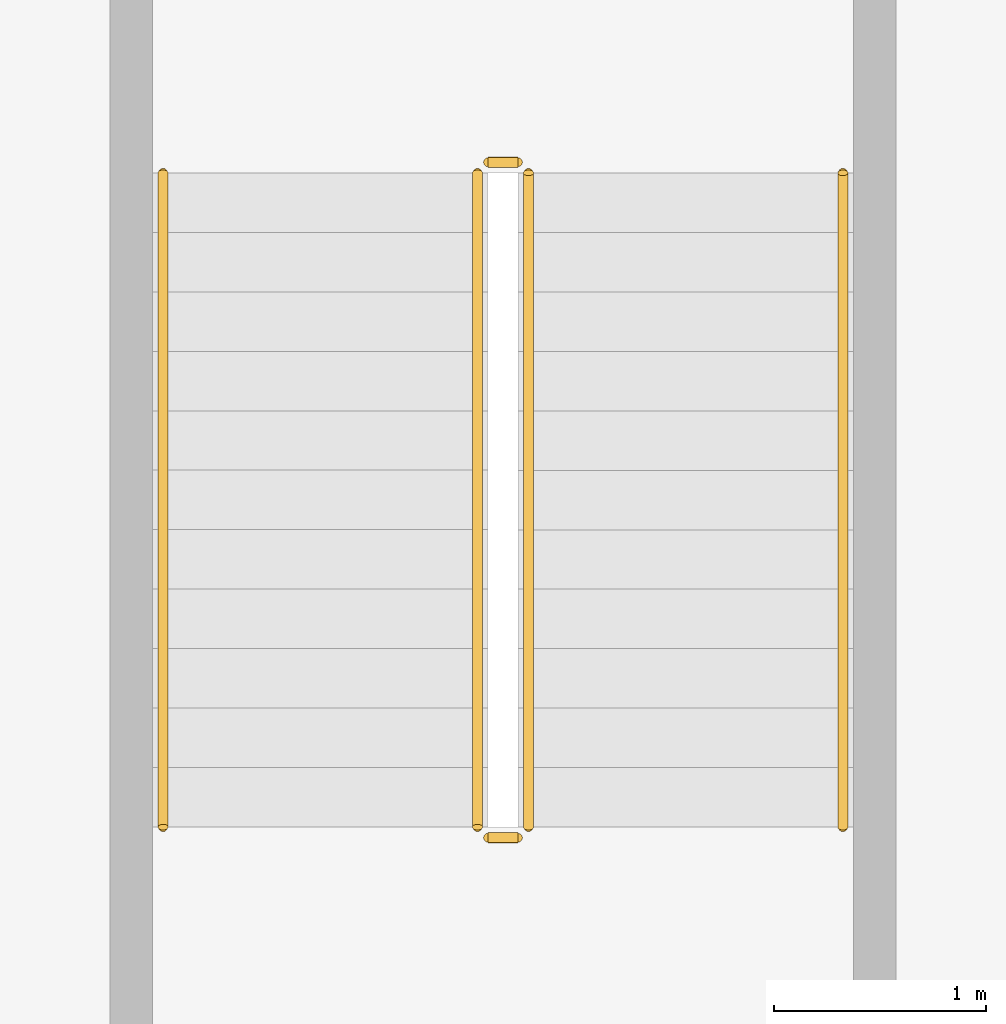
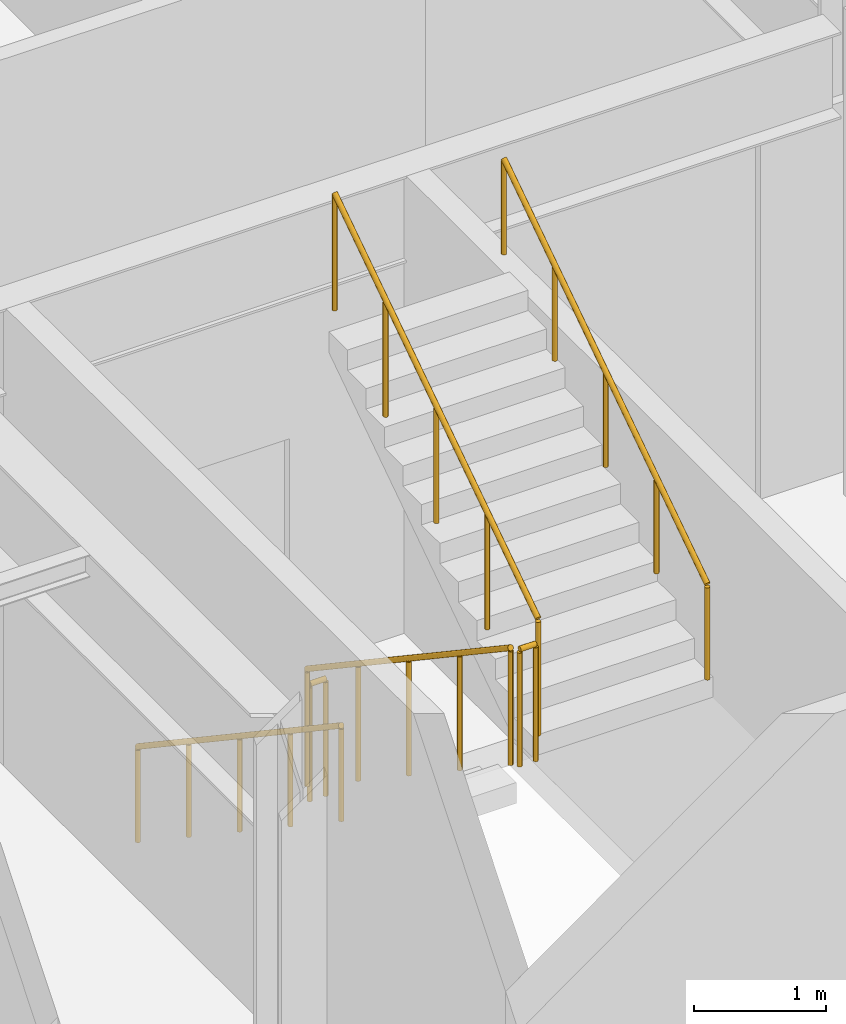
# One storey, part 22 of 26: 6 railings.
"""IFC4 building model written with IfcOpenShell, lengths in metres."""

import ifcopenshell
import ifcopenshell.guid

model = None  # the IFC model being written
_history = None  # IfcOwnerHistory: only IFC2X3 demands one
_inside = {}  # id of a spatial element -> (the spatial element, [elements in it])
_under = {}  # id of a project, library or spatial element -> (it, [spatial elements below it])
_declared = {}  # id of a project -> (the project, [libraries it declares])
_typed = {}  # id of a type object -> (the type object, [elements of that type])
_made_of = {}  # id of a material, layer set ... -> (it, [elements and type objects made of it])


def new_model(schema):
    """Start an empty IFC model of exactly this schema.

    Asked for "IFC4X3", IfcOpenShell would pick the latest addendum, in which some entities
    have other attributes; the version numbers below select the first issue.
    IFC2X3 requires an IfcOwnerHistory on every rooted entity: one is made here for all.
    """
    global model, _history
    if schema == "IFC4X3":
        model = ifcopenshell.file(schema_version=(4, 3, 0, 0))
    else:
        model = ifcopenshell.file(schema=schema)
    _inside.clear()
    _under.clear()
    _declared.clear()
    _typed.clear()
    _made_of.clear()
    _history = None
    if model.schema == "IFC2X3":
        org = make("IfcOrganization", Name="unknown")
        user = make(
            "IfcPersonAndOrganization",
            ThePerson=make("IfcPerson", FamilyName="unknown"),
            TheOrganization=org,
        )
        app = make(
            "IfcApplication",
            ApplicationDeveloper=org,
            Version="unknown",
            ApplicationFullName="unknown",
            ApplicationIdentifier="unknown",
        )
        _history = make(
            "IfcOwnerHistory",
            OwningUser=user,
            OwningApplication=app,
            ChangeAction="ADDED",
            CreationDate=0,
        )
    return model


def make(cls, **values):
    """One entity of the class cls with the attributes given. An attribute that is None is left unset."""
    return model.create_entity(
        cls, **{name: value for name, value in values.items() if value is not None}
    )


def rooted(cls, **values):
    """An entity with a GlobalId (a new one), such as an element, a storey or a relation."""
    return make(cls, GlobalId=ifcopenshell.guid.new(), OwnerHistory=_history, **values)


def si_unit(unit_type, name, prefix=None):
    """IfcSIUnit, for example si_unit("LENGTHUNIT", "METRE", prefix="MILLI")."""
    return make("IfcSIUnit", UnitType=unit_type, Prefix=prefix, Name=name)


def assignment(units):
    """IfcUnitAssignment: the units of a project."""
    return None if units is None else make("IfcUnitAssignment", Units=units)


def point(xyz):
    """IfcCartesianPoint."""
    return None if xyz is None else make("IfcCartesianPoint", Coordinates=xyz)


def direction(xyz):
    """IfcDirection."""
    return None if xyz is None else make("IfcDirection", DirectionRatios=xyz)


def frame(location, z_axis=None, x_axis=None):
    """IfcAxis2Placement3D, a coordinate frame: its origin and axes. An axis left out is left unset."""
    return make(
        "IfcAxis2Placement3D",
        Location=point(location),
        Axis=direction(z_axis),
        RefDirection=direction(x_axis),
    )


def frame_2d(location, x_axis=None):
    """IfcAxis2Placement2D, a coordinate frame in the plane: its origin and x axis."""
    return make(
        "IfcAxis2Placement2D", Location=point(location), RefDirection=direction(x_axis)
    )


def origin():
    """The frame at (0, 0, 0) with its axes left unset."""
    return frame((0.0, 0.0, 0.0))


def origin_2d():
    """The frame at (0, 0) in the plane with its x axis left unset."""
    return frame_2d((0.0, 0.0))


def place(relative_to, where):
    """IfcLocalPlacement: puts the frame where relative to a parent placement (None: the world)."""
    return make(
        "IfcLocalPlacement", PlacementRelTo=relative_to, RelativePlacement=where
    )


def context(
    kind, dimensions, precision=None, world=None, true_north=None, identifier=None
):
    """IfcGeometricRepresentationContext, for example the 3D "Model" context."""
    return make(
        "IfcGeometricRepresentationContext",
        ContextIdentifier=identifier,
        ContextType=kind,
        CoordinateSpaceDimension=dimensions,
        Precision=precision,
        WorldCoordinateSystem=world,
        TrueNorth=true_north,
    )


def subcontext(parent, identifier, kind, view, scale=None):
    """IfcGeometricRepresentationSubContext, for example "Body" below "Model"."""
    return make(
        "IfcGeometricRepresentationSubContext",
        ContextIdentifier=identifier,
        ContextType=kind,
        ParentContext=parent,
        TargetScale=scale,
        TargetView=view,
    )


def project(units=None, contexts=None):
    """IfcProject with its units and contexts."""
    return rooted(
        "IfcProject",
        Name="project",
        RepresentationContexts=contexts,
        UnitsInContext=assignment(units),
    )


def spatial(cls, under=None, at=None, **own):
    """A site, building, storey or space (cls), placed at a placement, below another one or the project."""
    s = rooted(cls, ObjectPlacement=at, **own)
    if under is not None:
        _under.setdefault(under.id(), (under, []))[1].append(s)
    return s


def profile(cls, at=None, kind="AREA", **sizes):
    """A parametric profile (cls). Its sizes go by their IFC names, for example OverallWidth=200.0."""
    return make(cls, ProfileType=kind, Position=at, **sizes)


def circle(**sizes):
    """IfcCircleProfileDef."""
    return profile("IfcCircleProfileDef", **sizes)


def extrude(swept, where, along, depth):
    """IfcExtrudedAreaSolid: the profile swept, set in the frame where, extruded along a direction by depth."""
    return make(
        "IfcExtrudedAreaSolid",
        SweptArea=swept,
        Position=where,
        ExtrudedDirection=direction(along),
        Depth=depth,
    )


def shape(context_of_items, identifier, shape_type, items):
    """IfcShapeRepresentation: the items that make up one representation, for example the "Body"."""
    return make(
        "IfcShapeRepresentation",
        ContextOfItems=context_of_items,
        RepresentationIdentifier=identifier,
        RepresentationType=shape_type,
        Items=items,
    )


def material(Name=None, Category=None):
    """IfcMaterial."""
    return make("IfcMaterial", Name=Name, Category=Category)


def made_of(thing, what):
    """Note that an element or type object is made of a material, layer set ...; save() writes the relation."""
    if what is not None:
        _made_of.setdefault(what.id(), (what, []))[1].append(thing)
    return thing


def type_object(cls, material=None, **own):
    """A type object (cls), such as IfcWallType, which elements share."""
    return made_of(rooted(cls, **own), material)


def element(
    cls,
    number,
    at=None,
    inside=None,
    cuts=None,
    type_object=None,
    material=None,
    context=None,
    identifier="Body",
    shape_type=None,
    held_by="IfcProductDefinitionShape",
    body=None,
    shapes=None,
    **own,
):
    """One element of the class cls, such as IfcWall. Its Tag is "e" and its number.

    at: its placement. inside: the storey or other place that contains it. cuts: it is an
    opening in that element (IfcRelVoidsElement). A single representation is given by context,
    identifier, shape_type and body (its items); several are given by shapes. held_by: the class
    of the entity that holds the representations. save() writes the other relations.
    """
    e = rooted(cls, Tag="e%d" % number, ObjectPlacement=at, **own)
    if body is not None:
        shapes = [shape(context, identifier, shape_type, body)]
    if shapes is not None:
        e.Representation = make(held_by, Representations=shapes)
    if inside is not None:
        _inside.setdefault(inside.id(), (inside, []))[1].append(e)
    if cuts is not None:
        rooted(
            "IfcRelVoidsElement", RelatingBuildingElement=cuts, RelatedOpeningElement=e
        )
    if type_object is not None:
        _typed.setdefault(type_object.id(), (type_object, []))[1].append(e)
    return made_of(e, material)


def aggregate(whole, parts):
    """IfcRelAggregates: a whole, such as a stair, and the parts it consists of."""
    return rooted("IfcRelAggregates", RelatingObject=whole, RelatedObjects=parts)


def save(model, path):
    """Write the relations noted so far, then the file.

    IfcRelAggregates (storeys below a building ...), IfcRelContainedInSpatialStructure (elements
    in a storey), IfcRelDefinesByType, IfcRelAssociatesMaterial and IfcRelDeclares: one each for
    every whole, place, type object, material and project.
    """
    for whole, parts in _under.values():
        aggregate(whole, parts)
    for where, things in _inside.values():
        rooted(
            "IfcRelContainedInSpatialStructure",
            RelatedElements=things,
            RelatingStructure=where,
        )
    for kind, things in _typed.values():
        rooted("IfcRelDefinesByType", RelatedObjects=things, RelatingType=kind)
    for what, things in _made_of.values():
        rooted("IfcRelAssociatesMaterial", RelatedObjects=things, RelatingMaterial=what)
    for by, libraries in _declared.values():
        rooted("IfcRelDeclares", RelatingContext=by, RelatedDefinitions=libraries)
    model.write(path)


model = new_model("IFC4")

# Units and contexts
model_context = context("Model", 3, precision=1e-05, world=origin(), true_north=direction((0.0, 1.0)))
body_context = subcontext(model_context, "Body", "Model", "MODEL_VIEW")
ifc_project = project(units=[si_unit("LENGTHUNIT", "METRE"), si_unit("AREAUNIT", "SQUARE_METRE"), si_unit("VOLUMEUNIT", "CUBIC_METRE"), si_unit("PLANEANGLEUNIT", "RADIAN"), si_unit("MASSUNIT", "GRAM", prefix="KILO")], contexts=[model_context])

# Site, building, storey
site_placement = place(None, origin())
site = spatial("IfcSite", under=ifc_project, at=site_placement, CompositionType="ELEMENT")
building_placement = place(site_placement, origin())
building = spatial("IfcBuilding", under=site, at=building_placement, Name="Varnakote Quay Hospital", CompositionType="ELEMENT")
storey_placement = place(building_placement, frame((0.0, 0.0, 13.5)))
storey = spatial("IfcBuildingStorey", under=building, at=storey_placement, Name="L03", CompositionType="ELEMENT", Elevation=13.5)

# Railings
ifc_material_1 = material(Name="Brushed stainless steel balustrade", Category="steel")
railing_type_1 = type_object("IfcRailingType", Name="RLG-STAIR-GUARD-1150", PredefinedType="GUARDRAIL", material=ifc_material_1)
railing_1_placement = place(storey_placement, frame((44.6298828125, 10.300048828125, 0.1875)))
element("IfcRailing", 1, at=railing_1_placement, inside=storey, type_object=railing_type_1, Name="L03 ST-03 stair guard 1", PredefinedType="GUARDRAIL", context=body_context, shape_type="SweptSolid", body=[
    extrude(circle(Radius=0.02392578125, at=origin_2d()), frame((0.0, 0.0, 1.076171875), z_axis=(0.0, -0.830913701846, 0.55640131208), x_axis=(1.0, 0.0, 0.0)), (0.0, 0.0, 1.0), 3.706787109375),
    extrude(circle(Radius=0.02099609375, at=origin_2d()), origin(), (0.0, 0.0, 1.0), 1.052001953125),
    extrude(circle(Radius=0.02099609375, at=origin_2d()), frame((0.0, -0.77001953125, 0.515625)), (0.0, 0.0, 1.0), 1.052001953125),
    extrude(circle(Radius=0.02099609375, at=origin_2d()), frame((0.0, -1.5400390625, 1.03125)), (0.0, 0.0, 1.0), 1.052001953125),
    extrude(circle(Radius=0.02099609375, at=origin_2d()), frame((0.0, -2.31005859375, 1.546875)), (0.0, 0.0, 1.0), 1.052001953125),
    extrude(circle(Radius=0.02099609375, at=origin_2d()), frame((0.0, -3.080078125, 2.0625)), (0.0, 0.0, 1.0), 1.052001953125),
])
railing_2_placement = place(storey_placement, frame((44.679931640625, 7.169921875, 2.25)))
element("IfcRailing", 2, at=railing_2_placement, inside=storey, type_object=railing_type_1, Name="L03 ST-03 stair guard 2", PredefinedType="GUARDRAIL", context=body_context, shape_type="SweptSolid", body=[
    extrude(circle(Radius=0.02392578125, at=origin_2d()), frame((0.0, 0.0, 1.076171875), z_axis=(1.0, 0.0, 0.0), x_axis=(0.0, 1.0, 0.0)), (0.0, 0.0, 1.0), 0.14013671875),
    extrude(circle(Radius=0.02099609375, at=origin_2d()), origin(), (0.0, 0.0, 1.0), 1.052001953125),
    extrude(circle(Radius=0.02099609375, at=origin_2d()), frame((0.14013671875, 0.0, 0.0)), (0.0, 0.0, 1.0), 1.052001953125),
])
railing_3_placement = place(storey_placement, frame((44.8701171875, 7.219970703125, 2.4375)))
element("IfcRailing", 3, at=railing_3_placement, inside=storey, type_object=railing_type_1, Name="L03 ST-03 stair guard 3", PredefinedType="GUARDRAIL", context=body_context, shape_type="SweptSolid", body=[
    extrude(circle(Radius=0.02392578125, at=origin_2d()), frame((0.0, 0.0, 1.076171875), z_axis=(0.0, 0.830913701846, 0.55640131208), x_axis=(-1.0, 0.0, 0.0)), (0.0, 0.0, 1.0), 3.706787109375),
    extrude(circle(Radius=0.02099609375, at=origin_2d()), origin(), (0.0, 0.0, 1.0), 1.052001953125),
    extrude(circle(Radius=0.02099609375, at=origin_2d()), frame((0.0, 0.77001953125, 0.515625)), (0.0, 0.0, 1.0), 1.052001953125),
    extrude(circle(Radius=0.02099609375, at=origin_2d()), frame((0.0, 1.5400390625, 1.03125)), (0.0, 0.0, 1.0), 1.052001953125),
    extrude(circle(Radius=0.02099609375, at=origin_2d()), frame((0.0, 2.31005859375, 1.546875)), (0.0, 0.0, 1.0), 1.052001953125),
    extrude(circle(Radius=0.02099609375, at=origin_2d()), frame((0.0, 3.080078125, 2.0625)), (0.0, 0.0, 1.0), 1.052001953125),
])
railing_4_placement = place(storey_placement, frame((44.679931640625, 10.35009765625, 0.0)))
element("IfcRailing", 4, at=railing_4_placement, inside=storey, type_object=railing_type_1, Name="L03 ST-03 stair guard 4", PredefinedType="GUARDRAIL", context=body_context, shape_type="SweptSolid", body=[
    extrude(circle(Radius=0.02392578125, at=origin_2d()), frame((0.0, 0.0, 1.076171875), z_axis=(1.0, 0.0, 0.0), x_axis=(0.0, 1.0, 0.0)), (0.0, 0.0, 1.0), 0.14013671875),
    extrude(circle(Radius=0.02099609375, at=origin_2d()), origin(), (0.0, 0.0, 1.0), 1.052001953125),
    extrude(circle(Radius=0.02099609375, at=origin_2d()), frame((0.14013671875, 0.0, 0.0)), (0.0, 0.0, 1.0), 1.052001953125),
])
ifc_material_2 = material(Name="Brushed stainless steel handrail", Category="steel")
railing_type_2 = type_object("IfcRailingType", Name="RLG-STAIR-HND-920", PredefinedType="HANDRAIL", material=ifc_material_2)
railing_5_placement = place(storey_placement, frame((43.14990234375, 10.300048828125, 0.1875)))
element("IfcRailing", 5, at=railing_5_placement, inside=storey, type_object=railing_type_2, Name="L03 ST-03 stair handrail 1", PredefinedType="HANDRAIL", context=body_context, shape_type="SweptSolid", body=[
    extrude(circle(Radius=0.02392578125, at=origin_2d()), frame((0.0, 0.0, 0.8759765625), z_axis=(0.0, -0.830913701846, 0.55640131208), x_axis=(1.0, 0.0, 0.0)), (0.0, 0.0, 1.0), 3.706787109375),
    extrude(circle(Radius=0.02099609375, at=origin_2d()), origin(), (0.0, 0.0, 1.0), 0.851806640625),
    extrude(circle(Radius=0.02099609375, at=origin_2d()), frame((0.0, -0.77001953125, 0.515625)), (0.0, 0.0, 1.0), 0.851806640625),
    extrude(circle(Radius=0.02099609375, at=origin_2d()), frame((0.0, -1.5400390625, 1.03125)), (0.0, 0.0, 1.0), 0.851806640625),
    extrude(circle(Radius=0.02099609375, at=origin_2d()), frame((0.0, -2.31005859375, 1.546875)), (0.0, 0.0, 1.0), 0.851806640625),
    extrude(circle(Radius=0.02099609375, at=origin_2d()), frame((0.0, -3.080078125, 2.0625)), (0.0, 0.0, 1.0), 0.851806640625),
])
railing_6_placement = place(storey_placement, frame((46.35009765625, 7.219970703125, 2.4375)))
element("IfcRailing", 6, at=railing_6_placement, inside=storey, type_object=railing_type_2, Name="L03 ST-03 stair handrail 2", PredefinedType="HANDRAIL", context=body_context, shape_type="SweptSolid", body=[
    extrude(circle(Radius=0.02392578125, at=origin_2d()), frame((0.0, 0.0, 0.8759765625), z_axis=(0.0, 0.830913701846, 0.55640131208), x_axis=(-1.0, 0.0, 0.0)), (0.0, 0.0, 1.0), 3.706787109375),
    extrude(circle(Radius=0.02099609375, at=origin_2d()), origin(), (0.0, 0.0, 1.0), 0.851806640625),
    extrude(circle(Radius=0.02099609375, at=origin_2d()), frame((0.0, 0.77001953125, 0.515625)), (0.0, 0.0, 1.0), 0.851806640625),
    extrude(circle(Radius=0.02099609375, at=origin_2d()), frame((0.0, 1.5400390625, 1.03125)), (0.0, 0.0, 1.0), 0.851806640625),
    extrude(circle(Radius=0.02099609375, at=origin_2d()), frame((0.0, 2.31005859375, 1.546875)), (0.0, 0.0, 1.0), 0.851806640625),
    extrude(circle(Radius=0.02099609375, at=origin_2d()), frame((0.0, 3.080078125, 2.0625)), (0.0, 0.0, 1.0), 0.851806640625),
])

save(model, "model.ifc")
